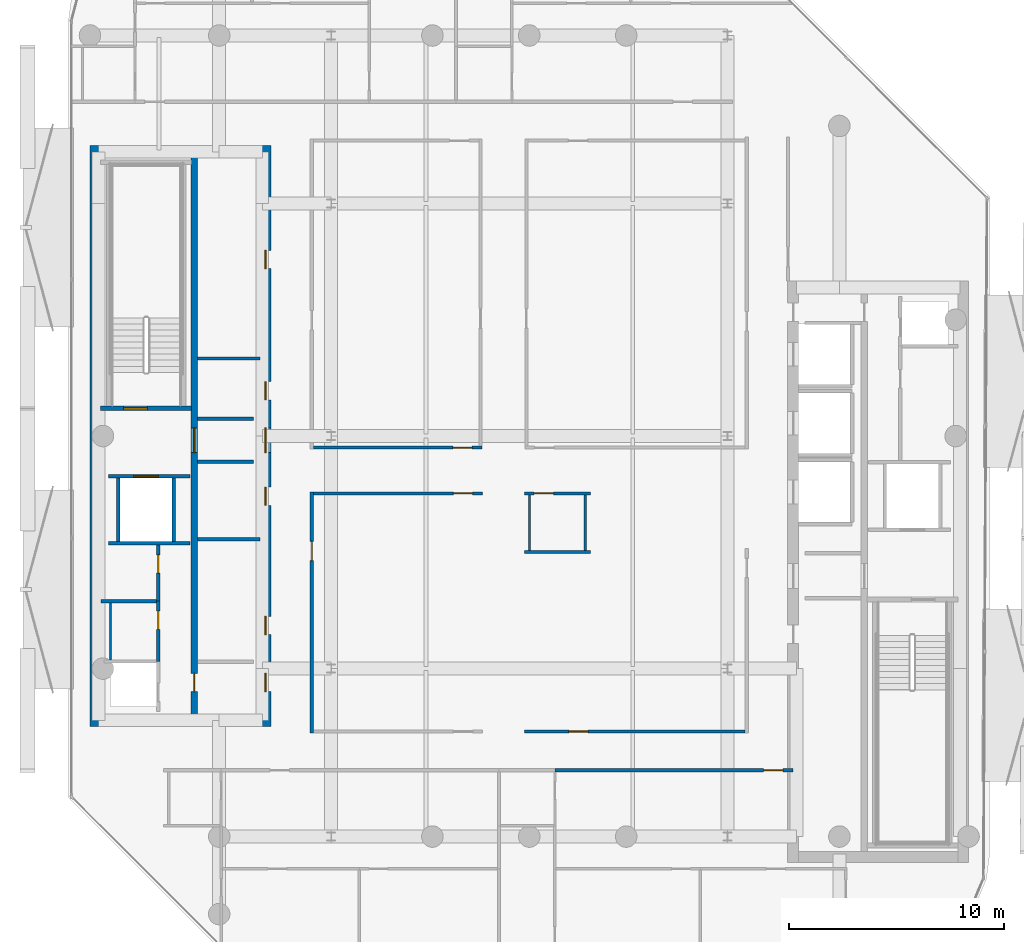
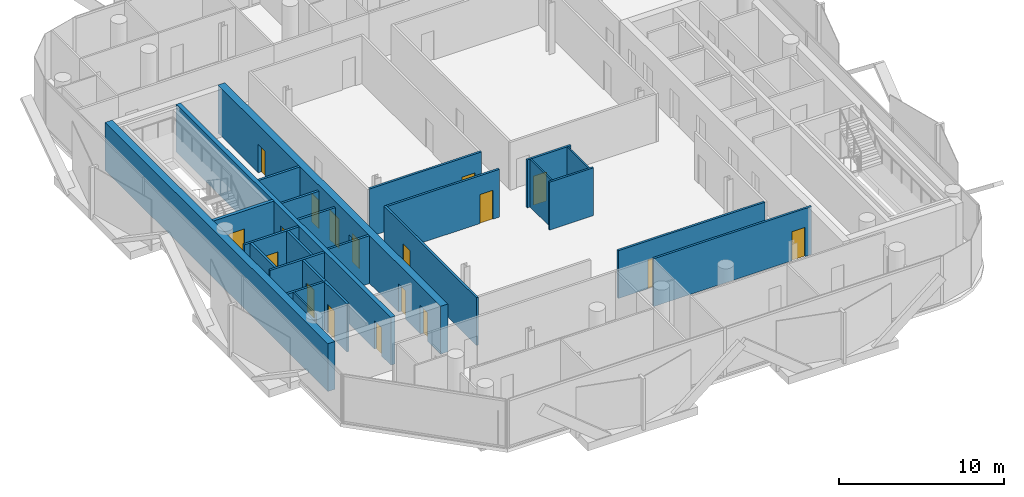
# One storey, part 5 of 16: 25 walls, 18 doors, 18 openings.
"""IFC4 building model written with IfcOpenShell, lengths in metres."""

from ifc_helpers import new_model, si_unit, direction, frame, frame_2d, origin, place, context, subcontext, project, spatial, rectangle, extrude, material, layer, layer_set, type_object, element, fill, save


model = new_model("IFC4")

# Units and contexts
model_context = context("Model", 3, precision=1e-05, world=origin(), true_north=direction((0.0, 1.0)))
body_context = subcontext(model_context, "Body", "Model", "MODEL_VIEW")
ifc_project = project(units=[si_unit("LENGTHUNIT", "METRE"), si_unit("AREAUNIT", "SQUARE_METRE"), si_unit("VOLUMEUNIT", "CUBIC_METRE"), si_unit("PLANEANGLEUNIT", "RADIAN"), si_unit("MASSUNIT", "GRAM", prefix="KILO")], contexts=[model_context])

# Site, building, storey
site_placement = place(None, origin())
site = spatial("IfcSite", under=ifc_project, at=site_placement, CompositionType="ELEMENT")
building_placement = place(site_placement, origin())
building = spatial("IfcBuilding", under=site, at=building_placement, Name="Khairoan Windgate Tower", CompositionType="ELEMENT")
storey_placement = place(building_placement, frame((0.0, 0.0, 296.60009765625)))
storey = spatial("IfcBuildingStorey", under=building, at=storey_placement, Name="L71", CompositionType="ELEMENT", Elevation=296.60009765625)

# Walls
ifc_material_1 = material(Name="Moisture-Resistant Gypsum Partition", Category="gypsum")
ifc_layer_1 = layer(ifc_material_1, 0.10009765625, Name="Moisture-Resistant Gypsum Partition")
ifc_layer_set_1 = layer_set([ifc_layer_1], Name="Moisture-Resistant Gypsum Partition")
wall_type_1 = type_object("IfcWallType", Name="Bathroom Wet-Area Partition Wall", PredefinedType="PARTITIONING", material=ifc_layer_set_1)
wall_1_placement = place(storey_placement, frame((-19.449951171875, -10.389892578125, 0.0), z_axis=(0.0, 0.0, 1.0), x_axis=(0.0, 1.0, 0.0)))
element("IfcWall", 1, at=wall_1_placement, inside=storey, type_object=wall_type_1, Name="L71 Wet Room Side Wall 072", PredefinedType="PARTITIONING", context=body_context, shape_type="SweptSolid", body=[
    extrude(rectangle(XDim=2.639892578125, YDim=0.10009765625, at=frame_2d((1.31982421875, 0.0))), origin(), (0.0, 0.0, 1.0), 3.539794921875),
])
for number, where, z_axis, x_axis, name in (
    (2, (2.60009765625, -2.739990234375, 0.0), (0.0, 0.0, 1.0), (0.0, -1.0, 0.0), "L71 Wet Room Side Wall 075"),
    (3, (0.010009765625, -5.31005859375, 0.0), (0.0, 0.0, 1.0), (0.0, 1.0, 0.0), "L71 Wet Room Side Wall 076"),
):
    element("IfcWall", number, at=place(storey_placement, frame(where, z_axis=z_axis, x_axis=x_axis)), inside=storey, type_object=wall_type_1, Name=name, PredefinedType="PARTITIONING", context=body_context, shape_type="SweptSolid", body=[
        extrude(rectangle(XDim=2.570068359375, YDim=0.10009765625, at=frame_2d((1.28515625, 0.0))), origin(), (0.0, 0.0, 1.0), 3.539794921875),
    ])

# Wall, opening, door
ifc_material_2 = material(Name="Concrete C40/50", Category="concrete")
ifc_layer_2 = layer(ifc_material_2, 0.159912109375, Name="Concrete C40/50")
ifc_layer_set_2 = layer_set([ifc_layer_2], Name="Concrete C40/50")
wall_type_2 = type_object("IfcWallType", Name="Core and Hoistway Enclosure Wall", PredefinedType="STANDARD", material=ifc_layer_set_2)
wall_2_placement = place(storey_placement, frame((-19.550048828125, -1.860107421875, 0.0), z_axis=(0.0, 0.0, 1.0), x_axis=(1.0, 0.0, 0.0)))
wall_2 = element("IfcWall", 4, at=wall_2_placement, inside=storey, type_object=wall_type_2, Name="L71 Core Shaft Wall SW-FL2-L71", PredefinedType="STANDARD", context=body_context, shape_type="SweptSolid", body=[
    extrude(rectangle(XDim=3.800048828125, YDim=0.159912109375, at=frame_2d((1.89990234375, 0.0))), origin(), (0.0, 0.0, 1.0), 3.539794921875),
])
opening_1_placement = place(wall_2_placement, frame((1.179931640625, 0.0, 0.0)))
opening_1 = element("IfcOpeningElement", 5, at=opening_1_placement, cuts=wall_2, Name="Opening LD-FL", PredefinedType="OPENING", context=body_context, shape_type="SweptSolid", body=[
    extrude(rectangle(XDim=1.14990234375, YDim=2.199951171875, at=frame_2d((0.574951171875, 1.10009765625))), frame((0.0, 0.08984375, 0.0), z_axis=(0.0, -1.0, 0.0), x_axis=(1.0, 0.0, 0.0)), (0.0, 0.0, 1.0), 0.179931640625),
])
ifc_material_3 = material(Name="Steel S355", Category="steel")
door_type_1 = type_object("IfcDoorType", Name="Firefighting Lift Sliding Landing Door LD-FL 1150x2200", OperationType="DOUBLE_DOOR_SLIDING", PredefinedType="DOOR", material=ifc_material_3)
door_1_placement = place(opening_1_placement, origin())
door_1 = element("IfcDoor", 6, at=door_1_placement, inside=storey, type_object=door_type_1, Name="L71 Firefighting Lift FL2 Landing Door", OperationType="DOUBLE_DOOR_SLIDING", OverallHeight=2.199951171875, OverallWidth=1.14990234375, PredefinedType="DOOR", context=body_context, shape_type="SweptSolid", body=[
    extrude(rectangle(XDim=1.14990234375, YDim=2.199951171875, at=frame_2d((0.574951171875, 1.10009765625))), frame((0.0, 0.02490234375, 0.0), z_axis=(0.0, -1.0, 0.0), x_axis=(1.0, 0.0, 0.0)), (0.0, 0.0, 1.0), 0.050048828125),
])
fill(opening_1, door_1)

# Walls
wall_3_placement = place(storey_placement, frame((-19.550048828125, -4.97998046875, 0.0), z_axis=(0.0, 0.0, 1.0), x_axis=(1.0, 0.0, 0.0)))
element("IfcWall", 7, at=wall_3_placement, inside=storey, type_object=wall_type_2, Name="L71 Core Shaft Wall SW-FL2B-L71", PredefinedType="STANDARD", context=body_context, shape_type="SweptSolid", body=[
    extrude(rectangle(XDim=3.800048828125, YDim=0.159912109375, at=frame_2d((1.89990234375, 0.0))), origin(), (0.0, 0.0, 1.0), 3.539794921875),
])
for number, where, z_axis, x_axis, name in (
    (8, (-19.080078125, -4.89990234375, 0.0), (0.0, 0.0, 1.0), (0.0, 1.0, 0.0), "L71 Core Shaft Wall SW-FL2W-L71"),
    (9, (-16.52001953125, -4.89990234375, 0.0), (0.0, 0.0, 1.0), (0.0, 1.0, 0.0), "L71 Core Shaft Wall SW-FL2E-L71"),
):
    element("IfcWall", number, at=place(storey_placement, frame(where, z_axis=z_axis, x_axis=x_axis)), inside=storey, type_object=wall_type_2, Name=name, PredefinedType="STANDARD", context=body_context, shape_type="SweptSolid", body=[
        extrude(rectangle(XDim=2.9599609375, YDim=0.159912109375, at=frame_2d((1.47998046875, 0.0))), origin(), (0.0, 0.0, 1.0), 3.539794921875),
    ])
for number, where, z_axis, x_axis, name in (
    (10, (-15.39990234375, 0.800048828125, 0.0), (0.0, 0.0, 1.0), (1.0, 0.0, 0.0), "L71 Core Shaft Wall SW-WV1-L71"),
    (11, (-15.39990234375, -1.199951171875, 0.0), (0.0, 0.0, 1.0), (1.0, 0.0, 0.0), "L71 Core Shaft Wall SW-WV2-L71"),
):
    element("IfcWall", number, at=place(storey_placement, frame(where, z_axis=z_axis, x_axis=x_axis)), inside=storey, type_object=wall_type_2, Name=name, PredefinedType="STANDARD", context=body_context, shape_type="SweptSolid", body=[
        extrude(rectangle(XDim=2.599853515625, YDim=0.159912109375, at=frame_2d((1.2998046875, 0.0))), origin(), (0.0, 0.0, 1.0), 3.539794921875),
    ])
ifc_material_4 = material(Name="Acoustic Fire-Rated Gypsum Partition", Category="gypsum")
ifc_layer_3 = layer(ifc_material_4, 0.139892578125, Name="Acoustic Fire-Rated Gypsum Partition")
ifc_layer_set_3 = layer_set([ifc_layer_3], Name="Acoustic Fire-Rated Gypsum Partition")
wall_type_3 = type_object("IfcWallType", Name="Inter-Tenancy Compartment Wall", PredefinedType="PARTITIONING", material=ifc_layer_set_3)
wall_4_placement = place(storey_placement, frame((-0.22998046875, -5.3798828125, 0.0), z_axis=(0.0, 0.0, 1.0), x_axis=(1.0, 0.0, 0.0)))
element("IfcWall", 12, at=wall_4_placement, inside=storey, type_object=wall_type_3, Name="L71 Interior Partition 071", PredefinedType="PARTITIONING", context=body_context, shape_type="SweptSolid", body=[
    extrude(rectangle(XDim=3.070068359375, YDim=0.139892578125, at=frame_2d((1.53515625, 0.0))), origin(), (0.0, 0.0, 1.0), 3.539794921875),
])

# Wall, opening, door
ifc_material_5 = material(Name="Concrete C40/50", Category="concrete")
ifc_layer_4 = layer(ifc_material_5, 0.159912109375, Name="Concrete C40/50")
ifc_layer_set_4 = layer_set([ifc_layer_4], Name="Concrete C40/50")
wall_type_4 = type_object("IfcWallType", Name="Plant and Refuge Compartment Wall", PredefinedType="PARTITIONING", material=ifc_layer_set_4)
wall_5_placement = place(storey_placement, frame((-17.22998046875, -10.469970703125, 0.0), z_axis=(0.0, 0.0, 1.0), x_axis=(0.0, 1.0, 0.0)))
wall_5 = element("IfcWall", 13, at=wall_5_placement, inside=storey, type_object=wall_type_4, Name="L71 Interior Partition 002", PredefinedType="PARTITIONING", context=body_context, shape_type="SweptSolid", body=[
    extrude(rectangle(XDim=2.800048828125, YDim=0.159912109375, at=frame_2d((1.39990234375, 0.0))), origin(), (0.0, 0.0, 1.0), 3.539794921875),
])
opening_2_placement = place(wall_5_placement, frame((1.489990234375, 0.0, 0.0)))
opening_2 = element("IfcOpeningElement", 14, at=opening_2_placement, cuts=wall_5, Name="Opening FD-SRV", PredefinedType="OPENING", context=body_context, shape_type="SweptSolid", body=[
    extrude(rectangle(XDim=0.85009765625, YDim=2.10009765625, at=frame_2d((0.425048828125, 1.050048828125))), frame((0.0, 0.08984375, 0.0), z_axis=(0.0, -1.0, 0.0), x_axis=(1.0, 0.0, 0.0)), (0.0, 0.0, 1.0), 0.179931640625),
])
ifc_material_6 = material(Name="Steel S355", Category="steel")
door_type_2 = type_object("IfcDoorType", Name="Core Service and Riser Fire Door FD-SRV 850x2100", OperationType="NOTDEFINED", PredefinedType="DOOR", material=ifc_material_6)
door_2_placement = place(opening_2_placement, origin())
door_2 = element("IfcDoor", 15, at=door_2_placement, inside=storey, type_object=door_type_2, Name="L71 L71-04-L71-06 Door", OperationType="SINGLE_SWING_RIGHT", OverallHeight=2.10009765625, OverallWidth=0.85009765625, PredefinedType="DOOR", context=body_context, shape_type="SweptSolid", body=[
    extrude(rectangle(XDim=0.85009765625, YDim=2.10009765625, at=frame_2d((0.425048828125, 1.050048828125))), frame((0.0, 0.02490234375, 0.0), z_axis=(0.0, -1.0, 0.0), x_axis=(1.0, 0.0, 0.0)), (0.0, 0.0, 1.0), 0.050048828125),
])
fill(opening_2, door_2)

wall_6_placement = place(storey_placement, frame((-17.22998046875, -7.669921875, 0.0), z_axis=(0.0, 0.0, 1.0), x_axis=(0.0, 1.0, 0.0)))
wall_6 = element("IfcWall", 16, at=wall_6_placement, inside=storey, type_object=wall_type_4, Name="L71 Interior Partition 003", PredefinedType="PARTITIONING", context=body_context, shape_type="SweptSolid", body=[
    extrude(rectangle(XDim=2.60986328125, YDim=0.159912109375, at=frame_2d((1.304931640625, 0.0))), origin(), (0.0, 0.0, 1.0), 3.539794921875),
])
opening_3_placement = place(wall_6_placement, frame((1.300048828125, 0.0, 0.0)))
opening_3 = element("IfcOpeningElement", 17, at=opening_3_placement, cuts=wall_6, Name="Opening FD-SRV", PredefinedType="OPENING", context=body_context, shape_type="SweptSolid", body=[
    extrude(rectangle(XDim=0.85009765625, YDim=2.10009765625, at=frame_2d((0.425048828125, 1.050048828125))), frame((0.0, 0.08984375, 0.0), z_axis=(0.0, -1.0, 0.0), x_axis=(1.0, 0.0, 0.0)), (0.0, 0.0, 1.0), 0.179931640625),
])
door_3_placement = place(opening_3_placement, origin())
door_3 = element("IfcDoor", 18, at=door_3_placement, inside=storey, type_object=door_type_2, Name="L71 L71-04-L71-07 Door", OperationType="SINGLE_SWING_LEFT", OverallHeight=2.10009765625, OverallWidth=0.85009765625, PredefinedType="DOOR", context=body_context, shape_type="SweptSolid", body=[
    extrude(rectangle(XDim=0.85009765625, YDim=2.10009765625, at=frame_2d((0.425048828125, 1.050048828125))), frame((0.0, 0.02490234375, 0.0), z_axis=(0.0, -1.0, 0.0), x_axis=(1.0, 0.0, 0.0)), (0.0, 0.0, 1.0), 0.050048828125),
])
fill(opening_3, door_3)

# Walls
wall_7_placement = place(storey_placement, frame((-19.89990234375, -7.669921875, 0.0), z_axis=(0.0, 0.0, 1.0), x_axis=(1.0, 0.0, 0.0)))
element("IfcWall", 19, at=wall_7_placement, inside=storey, type_object=wall_type_4, Name="L71 Interior Partition 005", PredefinedType="PARTITIONING", context=body_context, shape_type="SweptSolid", body=[
    extrude(rectangle(XDim=2.58984375, YDim=0.159912109375, at=frame_2d((1.294921875, 0.0))), origin(), (0.0, 0.0, 1.0), 3.539794921875),
])
for number, where, z_axis, x_axis, name in (
    (20, (-15.39990234375, 3.60009765625, 0.0), (0.0, 0.0, 1.0), (1.0, 0.0, 0.0), "L71 Interior Partition 006"),
    (21, (-15.39990234375, -4.800048828125, 0.0), (0.0, 0.0, 1.0), (1.0, 0.0, 0.0), "L71 Interior Partition 007"),
):
    element("IfcWall", number, at=place(storey_placement, frame(where, z_axis=z_axis, x_axis=x_axis)), inside=storey, type_object=wall_type_4, Name=name, PredefinedType="PARTITIONING", context=body_context, shape_type="SweptSolid", body=[
        extrude(rectangle(XDim=2.89990234375, YDim=0.159912109375, at=frame_2d((1.449951171875, 0.0))), origin(), (0.0, 0.0, 1.0), 3.539794921875),
    ])

# Wall, opening, door
ifc_material_7 = material(Name="Acoustic Fire-Rated Gypsum Partition", Category="gypsum")
ifc_layer_5 = layer(ifc_material_7, 0.14990234375, Name="Acoustic Fire-Rated Gypsum Partition")
ifc_layer_set_5 = layer_set([ifc_layer_5], Name="Acoustic Fire-Rated Gypsum Partition")
wall_type_5 = type_object("IfcWallType", Name="Rated Corridor Partition Wall", PredefinedType="PARTITIONING", material=ifc_layer_set_5)
wall_8_placement = place(storey_placement, frame((-10.10009765625, -13.794921875, 0.0), z_axis=(0.0, 0.0, 1.0), x_axis=(0.0, 1.0, 0.0)))
wall_8 = element("IfcWall", 22, at=wall_8_placement, inside=storey, type_object=wall_type_5, Name="L71 Interior Partition 012", PredefinedType="PARTITIONING", context=body_context, shape_type="SweptSolid", body=[
    extrude(rectangle(XDim=11.204833984375, YDim=0.14990234375, at=frame_2d((5.6025390625, 0.0))), origin(), (0.0, 0.0, 1.0), 3.539794921875),
])
opening_4_placement = place(wall_8_placement, frame((8.0087890625, 0.0, 0.0)))
opening_4 = element("IfcOpeningElement", 23, at=opening_4_placement, cuts=wall_8, Name="Opening FD-ENT", PredefinedType="OPENING", context=body_context, shape_type="SweptSolid", body=[
    extrude(rectangle(XDim=0.89990234375, YDim=2.14990234375, at=frame_2d((0.449951171875, 1.074951171875))), frame((0.0, 0.0849609375, 0.0), z_axis=(0.0, -1.0, 0.0), x_axis=(1.0, 0.0, 0.0)), (0.0, 0.0, 1.0), 0.169921875),
])
ifc_material_8 = material(Name="Timber Fire-Rated Core", Category="wood")
door_type_3 = type_object("IfcDoorType", Name="Unit and Office Fire Entrance Door FD-ENT 900x2150", OperationType="NOTDEFINED", PredefinedType="DOOR", material=ifc_material_8)
door_4_placement = place(opening_4_placement, origin())
door_4 = element("IfcDoor", 24, at=door_4_placement, inside=storey, type_object=door_type_3, Name="L71 L71-26-L71-56 Door", OperationType="SINGLE_SWING_LEFT", OverallHeight=2.14990234375, OverallWidth=0.89990234375, PredefinedType="DOOR", context=body_context, shape_type="SweptSolid", body=[
    extrude(rectangle(XDim=0.89990234375, YDim=2.14990234375, at=frame_2d((0.449951171875, 1.074951171875))), frame((0.0, 0.02490234375, 0.0), z_axis=(0.0, -1.0, 0.0), x_axis=(1.0, 0.0, 0.0)), (0.0, 0.0, 1.0), 0.050048828125),
])
fill(opening_4, door_4)

wall_9_placement = place(storey_placement, frame((-10.02490234375, -0.534912109375, 0.0), z_axis=(0.0, 0.0, 1.0), x_axis=(1.0, 0.0, 0.0)))
wall_9 = element("IfcWall", 25, at=wall_9_placement, inside=storey, type_object=wall_type_5, Name="L71 Interior Partition 016", PredefinedType="PARTITIONING", context=body_context, shape_type="SweptSolid", body=[
    extrude(rectangle(XDim=7.8349609375, YDim=0.14990234375, at=frame_2d((3.91748046875, 0.0))), origin(), (0.0, 0.0, 1.0), 3.539794921875),
])
opening_5_placement = place(wall_9_placement, frame((6.47509765625, 0.0, 0.0)))
opening_5 = element("IfcOpeningElement", 26, at=opening_5_placement, cuts=wall_9, Name="Opening FD-ENT", PredefinedType="OPENING", context=body_context, shape_type="SweptSolid", body=[
    extrude(rectangle(XDim=0.89990234375, YDim=2.14990234375, at=frame_2d((0.449951171875, 1.074951171875))), frame((0.0, 0.0849609375, 0.0), z_axis=(0.0, -1.0, 0.0), x_axis=(1.0, 0.0, 0.0)), (0.0, 0.0, 1.0), 0.169921875),
])
door_5_placement = place(opening_5_placement, origin())
door_5 = element("IfcDoor", 27, at=door_5_placement, inside=storey, type_object=door_type_3, Name="L71 L71-28-L71-55 Door", OperationType="SINGLE_SWING_LEFT", OverallHeight=2.14990234375, OverallWidth=0.89990234375, PredefinedType="DOOR", context=body_context, shape_type="SweptSolid", body=[
    extrude(rectangle(XDim=0.89990234375, YDim=2.14990234375, at=frame_2d((0.449951171875, 1.074951171875))), frame((0.0, 0.02490234375, 0.0), z_axis=(0.0, -1.0, 0.0), x_axis=(1.0, 0.0, 0.0)), (0.0, 0.0, 1.0), 0.050048828125),
])
fill(opening_5, door_5)

wall_10_placement = place(storey_placement, frame((-10.02490234375, -2.6650390625, 0.0), z_axis=(0.0, 0.0, 1.0), x_axis=(1.0, 0.0, 0.0)))
wall_10 = element("IfcWall", 28, at=wall_10_placement, inside=storey, type_object=wall_type_5, Name="L71 Interior Partition 017", PredefinedType="PARTITIONING", context=body_context, shape_type="SweptSolid", body=[
    extrude(rectangle(XDim=7.85498046875, YDim=0.14990234375, at=frame_2d((3.927490234375, 0.0))), origin(), (0.0, 0.0, 1.0), 3.539794921875),
])
opening_6_placement = place(wall_10_placement, frame((6.4951171875, 0.0, 0.0)))
opening_6 = element("IfcOpeningElement", 29, at=opening_6_placement, cuts=wall_10, Name="Opening FD-ENT", PredefinedType="OPENING", context=body_context, shape_type="SweptSolid", body=[
    extrude(rectangle(XDim=0.89990234375, YDim=2.14990234375, at=frame_2d((0.449951171875, 1.074951171875))), frame((0.0, 0.0849609375, 0.0), z_axis=(0.0, -1.0, 0.0), x_axis=(1.0, 0.0, 0.0)), (0.0, 0.0, 1.0), 0.169921875),
])
door_6_placement = place(opening_6_placement, origin())
door_6 = element("IfcDoor", 30, at=door_6_placement, inside=storey, type_object=door_type_3, Name="L71 L71-28-L71-56 Door", OperationType="SINGLE_SWING_RIGHT", OverallHeight=2.14990234375, OverallWidth=0.89990234375, PredefinedType="DOOR", context=body_context, shape_type="SweptSolid", body=[
    extrude(rectangle(XDim=0.89990234375, YDim=2.14990234375, at=frame_2d((0.449951171875, 1.074951171875))), frame((0.0, 0.02490234375, 0.0), z_axis=(0.0, -1.0, 0.0), x_axis=(1.0, 0.0, 0.0)), (0.0, 0.0, 1.0), 0.050048828125),
])
fill(opening_6, door_6)

wall_11_placement = place(storey_placement, frame((-0.22998046875, -2.6650390625, 0.0), z_axis=(0.0, 0.0, 1.0), x_axis=(1.0, 0.0, 0.0)))
wall_11 = element("IfcWall", 31, at=wall_11_placement, inside=storey, type_object=wall_type_5, Name="L71 Interior Partition 019", PredefinedType="PARTITIONING", context=body_context, shape_type="SweptSolid", body=[
    extrude(rectangle(XDim=3.070068359375, YDim=0.14990234375, at=frame_2d((1.53515625, 0.0))), origin(), (0.0, 0.0, 1.0), 3.539794921875),
])
opening_7_placement = place(wall_11_placement, frame((0.4599609375, 0.0, 0.0)))
opening_7 = element("IfcOpeningElement", 32, at=opening_7_placement, cuts=wall_11, Name="Opening FD-ENT", PredefinedType="OPENING", context=body_context, shape_type="SweptSolid", body=[
    extrude(rectangle(XDim=0.89990234375, YDim=2.14990234375, at=frame_2d((0.449951171875, 1.074951171875))), frame((0.0, 0.0849609375, 0.0), z_axis=(0.0, -1.0, 0.0), x_axis=(1.0, 0.0, 0.0)), (0.0, 0.0, 1.0), 0.169921875),
])
door_7_placement = place(opening_7_placement, origin())
door_7 = element("IfcDoor", 33, at=door_7_placement, inside=storey, type_object=door_type_3, Name="L71 L71-28-L71-58 Door", OperationType="SINGLE_SWING_RIGHT", OverallHeight=2.14990234375, OverallWidth=0.89990234375, PredefinedType="DOOR", context=body_context, shape_type="SweptSolid", body=[
    extrude(rectangle(XDim=0.89990234375, YDim=2.14990234375, at=frame_2d((0.449951171875, 1.074951171875))), frame((0.0, 0.02490234375, 0.0), z_axis=(0.0, -1.0, 0.0), x_axis=(1.0, 0.0, 0.0)), (0.0, 0.0, 1.0), 0.050048828125),
])
fill(opening_7, door_7)

wall_12_placement = place(storey_placement, frame((1.18994140625, -15.52490234375, 0.0), z_axis=(0.0, 0.0, 1.0), x_axis=(1.0, 0.0, 0.0)))
wall_12 = element("IfcWall", 34, at=wall_12_placement, inside=storey, type_object=wall_type_5, Name="L71 Interior Partition 032", PredefinedType="PARTITIONING", context=body_context, shape_type="SweptSolid", body=[
    extrude(rectangle(XDim=11.050048828125, YDim=0.14990234375, at=frame_2d((5.52490234375, 0.0))), origin(), (0.0, 0.0, 1.0), 3.539794921875),
])
opening_8_placement = place(wall_12_placement, frame((9.68994140625, 0.0, 0.0)))
opening_8 = element("IfcOpeningElement", 35, at=opening_8_placement, cuts=wall_12, Name="Opening FD-ENT", PredefinedType="OPENING", context=body_context, shape_type="SweptSolid", body=[
    extrude(rectangle(XDim=0.89990234375, YDim=2.14990234375, at=frame_2d((0.449951171875, 1.074951171875))), frame((0.0, 0.0849609375, 0.0), z_axis=(0.0, -1.0, 0.0), x_axis=(1.0, 0.0, 0.0)), (0.0, 0.0, 1.0), 0.169921875),
])
door_8_placement = place(opening_8_placement, origin())
door_8 = element("IfcDoor", 36, at=door_8_placement, inside=storey, type_object=door_type_3, Name="L71 L71-31-L71-50 Door", OperationType="SINGLE_SWING_RIGHT", OverallHeight=2.14990234375, OverallWidth=0.89990234375, PredefinedType="DOOR", context=body_context, shape_type="SweptSolid", body=[
    extrude(rectangle(XDim=0.89990234375, YDim=2.14990234375, at=frame_2d((0.449951171875, 1.074951171875))), frame((0.0, 0.02490234375, 0.0), z_axis=(0.0, -1.0, 0.0), x_axis=(1.0, 0.0, 0.0)), (0.0, 0.0, 1.0), 0.050048828125),
])
fill(opening_8, door_8)

wall_13_placement = place(storey_placement, frame((-0.22998046875, -13.719970703125, 0.0), z_axis=(0.0, 0.0, 1.0), x_axis=(1.0, 0.0, 0.0)))
wall_13 = element("IfcWall", 37, at=wall_13_placement, inside=storey, type_object=wall_type_5, Name="L71 Interior Partition 034", PredefinedType="PARTITIONING", context=body_context, shape_type="SweptSolid", body=[
    extrude(rectangle(XDim=10.2548828125, YDim=0.14990234375, at=frame_2d((5.12744140625, 0.0))), origin(), (0.0, 0.0, 1.0), 3.539794921875),
])
opening_9_placement = place(wall_13_placement, frame((2.066650390625, 0.0, 0.0)))
opening_9 = element("IfcOpeningElement", 38, at=opening_9_placement, cuts=wall_13, Name="Opening FD-ENT", PredefinedType="OPENING", context=body_context, shape_type="SweptSolid", body=[
    extrude(rectangle(XDim=0.89990234375, YDim=2.14990234375, at=frame_2d((0.449951171875, 1.074951171875))), frame((0.0, 0.0849609375, 0.0), z_axis=(0.0, -1.0, 0.0), x_axis=(1.0, 0.0, 0.0)), (0.0, 0.0, 1.0), 0.169921875),
])
door_9_placement = place(opening_9_placement, origin())
door_9 = element("IfcDoor", 39, at=door_9_placement, inside=storey, type_object=door_type_3, Name="L71 L71-31-L71-59 Door", OperationType="SINGLE_SWING_RIGHT", OverallHeight=2.14990234375, OverallWidth=0.89990234375, PredefinedType="DOOR", context=body_context, shape_type="SweptSolid", body=[
    extrude(rectangle(XDim=0.89990234375, YDim=2.14990234375, at=frame_2d((0.449951171875, 1.074951171875))), frame((0.0, 0.02490234375, 0.0), z_axis=(0.0, -1.0, 0.0), x_axis=(1.0, 0.0, 0.0)), (0.0, 0.0, 1.0), 0.050048828125),
])
fill(opening_9, door_9)

# Wall
ifc_material_9 = material(Name="Concrete C50/60", Category="concrete")
ifc_layer_6 = layer(ifc_material_9, 0.5, Name="Concrete C50/60")
ifc_layer_set_6 = layer_set([ifc_layer_6], Name="Concrete C50/60")
wall_type_6 = type_object("IfcWallType", Name="Shear Wall CW-W3 500mm", PredefinedType="SHEAR", material=ifc_layer_set_6)
wall_14_placement = place(storey_placement, frame((-20.14990234375, -13.5, 0.0), z_axis=(0.0, 0.0, 1.0), x_axis=(0.0, 1.0, 0.0)))
element("IfcWall", 40, at=wall_14_placement, inside=storey, type_object=wall_type_6, Name="W Core West Shear Wall L71", PredefinedType="SHEAR", context=body_context, shape_type="SweptSolid", body=[
    extrude(rectangle(XDim=27.0, YDim=0.5, at=frame_2d((13.5, 0.0))), origin(), (0.0, 0.0, 1.0), 3.539794921875),
])

# Wall, openings, doors
wall_15_placement = place(storey_placement, frame((-12.25, -13.5, 0.0), z_axis=(0.0, 0.0, 1.0), x_axis=(0.0, 1.0, 0.0)))
wall_15 = element("IfcWall", 41, at=wall_15_placement, inside=storey, type_object=wall_type_6, Name="W Core East Shear Wall L71", PredefinedType="SHEAR", context=body_context, shape_type="SweptSolid", body=[
    extrude(rectangle(XDim=27.0, YDim=0.5, at=frame_2d((13.5, 0.0))), origin(), (0.0, 0.0, 1.0), 3.539794921875),
])
opening_10_placement = place(wall_15_placement, frame((15.175048828125, 0.0, 0.0)))
opening_10 = element("IfcOpeningElement", 42, at=opening_10_placement, cuts=wall_15, Name="Opening FD-SRV", PredefinedType="OPENING", context=body_context, shape_type="SweptSolid", body=[
    extrude(rectangle(XDim=0.85009765625, YDim=2.10009765625, at=frame_2d((0.425048828125, 1.050048828125))), frame((0.0, 0.260009765625, 0.0), z_axis=(0.0, -1.0, 0.0), x_axis=(1.0, 0.0, 0.0)), (0.0, 0.0, 1.0), 0.52001953125),
])
opening_11_placement = place(wall_15_placement, frame((21.27490234375, 0.0, 0.0)))
opening_11 = element("IfcOpeningElement", 43, at=opening_11_placement, cuts=wall_15, Name="Opening FD-SRV", PredefinedType="OPENING", context=body_context, shape_type="SweptSolid", body=[
    extrude(rectangle(XDim=0.85009765625, YDim=2.10009765625, at=frame_2d((0.425048828125, 1.050048828125))), frame((0.0, 0.260009765625, 0.0), z_axis=(0.0, -1.0, 0.0), x_axis=(1.0, 0.0, 0.0)), (0.0, 0.0, 1.0), 0.52001953125),
])
opening_12_placement = place(wall_15_placement, frame((4.27490234375, 0.0, 0.0)))
opening_12 = element("IfcOpeningElement", 44, at=opening_12_placement, cuts=wall_15, Name="Opening FD-SRV", PredefinedType="OPENING", context=body_context, shape_type="SweptSolid", body=[
    extrude(rectangle(XDim=0.85009765625, YDim=2.10009765625, at=frame_2d((0.425048828125, 1.050048828125))), frame((0.0, 0.260009765625, 0.0), z_axis=(0.0, -1.0, 0.0), x_axis=(1.0, 0.0, 0.0)), (0.0, 0.0, 1.0), 0.52001953125),
])
opening_13_placement = place(wall_15_placement, frame((10.27490234375, 0.0, 0.0)))
opening_13 = element("IfcOpeningElement", 45, at=opening_13_placement, cuts=wall_15, Name="Opening FD-SRV", PredefinedType="OPENING", context=body_context, shape_type="SweptSolid", body=[
    extrude(rectangle(XDim=0.85009765625, YDim=2.10009765625, at=frame_2d((0.425048828125, 1.050048828125))), frame((0.0, 0.260009765625, 0.0), z_axis=(0.0, -1.0, 0.0), x_axis=(1.0, 0.0, 0.0)), (0.0, 0.0, 1.0), 0.52001953125),
])
opening_14_placement = place(wall_15_placement, frame((12.72509765625, 0.0, 0.0)))
opening_14 = element("IfcOpeningElement", 46, at=opening_14_placement, cuts=wall_15, Name="Opening FD-FFL", PredefinedType="OPENING", context=body_context, shape_type="SweptSolid", body=[
    extrude(rectangle(XDim=1.14990234375, YDim=2.199951171875, at=frame_2d((0.574951171875, 1.10009765625))), frame((0.0, 0.260009765625, 0.0), z_axis=(0.0, -1.0, 0.0), x_axis=(1.0, 0.0, 0.0)), (0.0, 0.0, 1.0), 0.52001953125),
])
opening_15_placement = place(wall_15_placement, frame((1.625, 0.0, 0.0)))
opening_15 = element("IfcOpeningElement", 47, at=opening_15_placement, cuts=wall_15, Name="Opening FD-SRV", PredefinedType="OPENING", context=body_context, shape_type="SweptSolid", body=[
    extrude(rectangle(XDim=0.85009765625, YDim=2.10009765625, at=frame_2d((0.425048828125, 1.050048828125))), frame((0.0, 0.260009765625, 0.0), z_axis=(0.0, -1.0, 0.0), x_axis=(1.0, 0.0, 0.0)), (0.0, 0.0, 1.0), 0.52001953125),
])
door_10_placement = place(opening_10_placement, origin())
door_10 = element("IfcDoor", 48, at=door_10_placement, inside=storey, type_object=door_type_2, Name="L71 Upper Core Room Door B1-1", OperationType="SINGLE_SWING_RIGHT", OverallHeight=2.10009765625, OverallWidth=0.85009765625, PredefinedType="DOOR", context=body_context, shape_type="SweptSolid", body=[
    extrude(rectangle(XDim=0.85009765625, YDim=2.10009765625, at=frame_2d((0.425048828125, 1.050048828125))), frame((0.0, 0.02490234375, 0.0), z_axis=(0.0, -1.0, 0.0), x_axis=(1.0, 0.0, 0.0)), (0.0, 0.0, 1.0), 0.050048828125),
])
fill(opening_10, door_10)
door_11_placement = place(opening_11_placement, origin())
door_11 = element("IfcDoor", 49, at=door_11_placement, inside=storey, type_object=door_type_2, Name="L71 Upper Core Room Door B1-2", OperationType="SINGLE_SWING_LEFT", OverallHeight=2.10009765625, OverallWidth=0.85009765625, PredefinedType="DOOR", context=body_context, shape_type="SweptSolid", body=[
    extrude(rectangle(XDim=0.85009765625, YDim=2.10009765625, at=frame_2d((0.425048828125, 1.050048828125))), frame((0.0, 0.02490234375, 0.0), z_axis=(0.0, -1.0, 0.0), x_axis=(1.0, 0.0, 0.0)), (0.0, 0.0, 1.0), 0.050048828125),
])
fill(opening_11, door_11)
door_12_placement = place(opening_12_placement, origin())
door_12 = element("IfcDoor", 50, at=door_12_placement, inside=storey, type_object=door_type_2, Name="L71 Upper Core Room Door B2-1", OperationType="SINGLE_SWING_RIGHT", OverallHeight=2.10009765625, OverallWidth=0.85009765625, PredefinedType="DOOR", context=body_context, shape_type="SweptSolid", body=[
    extrude(rectangle(XDim=0.85009765625, YDim=2.10009765625, at=frame_2d((0.425048828125, 1.050048828125))), frame((0.0, 0.02490234375, 0.0), z_axis=(0.0, -1.0, 0.0), x_axis=(1.0, 0.0, 0.0)), (0.0, 0.0, 1.0), 0.050048828125),
])
fill(opening_12, door_12)
door_13_placement = place(opening_13_placement, origin())
door_13 = element("IfcDoor", 51, at=door_13_placement, inside=storey, type_object=door_type_2, Name="L71 Upper Core Room Door B2-2", OperationType="SINGLE_SWING_LEFT", OverallHeight=2.10009765625, OverallWidth=0.85009765625, PredefinedType="DOOR", context=body_context, shape_type="SweptSolid", body=[
    extrude(rectangle(XDim=0.85009765625, YDim=2.10009765625, at=frame_2d((0.425048828125, 1.050048828125))), frame((0.0, 0.02490234375, 0.0), z_axis=(0.0, -1.0, 0.0), x_axis=(1.0, 0.0, 0.0)), (0.0, 0.0, 1.0), 0.050048828125),
])
fill(opening_13, door_13)
door_14_placement = place(opening_15_placement, origin())
door_14 = element("IfcDoor", 52, at=door_14_placement, inside=storey, type_object=door_type_2, Name="L71 West Core Service Vestibule Outer Door", OperationType="SINGLE_SWING_LEFT", OverallHeight=2.10009765625, OverallWidth=0.85009765625, PredefinedType="DOOR", context=body_context, shape_type="SweptSolid", body=[
    extrude(rectangle(XDim=0.85009765625, YDim=2.10009765625, at=frame_2d((0.425048828125, 1.050048828125))), frame((0.0, 0.02490234375, 0.0), z_axis=(0.0, -1.0, 0.0), x_axis=(1.0, 0.0, 0.0)), (0.0, 0.0, 1.0), 0.050048828125),
])
fill(opening_15, door_14)
ifc_material_10 = material(Name="Steel S355", Category="steel")
door_type_4 = type_object("IfcDoorType", Name="Firefighting Lobby Fire Door FD-FFL 1150x2200", OperationType="NOTDEFINED", PredefinedType="DOOR", material=ifc_material_10)
door_15_placement = place(opening_14_placement, origin())
door_15 = element("IfcDoor", 53, at=door_15_placement, inside=storey, type_object=door_type_4, Name="L71 West Core Vestibule Entry Door", OperationType="SINGLE_SWING_LEFT", OverallHeight=2.199951171875, OverallWidth=1.14990234375, PredefinedType="DOOR", context=body_context, shape_type="SweptSolid", body=[
    extrude(rectangle(XDim=1.14990234375, YDim=2.199951171875, at=frame_2d((0.574951171875, 1.10009765625))), frame((0.0, 0.02490234375, 0.0), z_axis=(0.0, -1.0, 0.0), x_axis=(1.0, 0.0, 0.0)), (0.0, 0.0, 1.0), 0.050048828125),
])
fill(opening_14, door_15)

ifc_material_11 = material(Name="Concrete C50/60", Category="concrete")
ifc_layer_7 = layer(ifc_material_11, 0.300048828125, Name="Concrete C50/60")
ifc_layer_set_7 = layer_set([ifc_layer_7], Name="Concrete C50/60")
wall_type_7 = type_object("IfcWallType", Name="Shear Wall SW-2 300mm", PredefinedType="SHEAR", material=ifc_layer_set_7)
wall_16_placement = place(storey_placement, frame((-15.550048828125, -13.0, 0.0), z_axis=(0.0, 0.0, 1.0), x_axis=(0.0, 1.0, 0.0)))
wall_16 = element("IfcWall", 54, at=wall_16_placement, inside=storey, type_object=wall_type_7, Name="W Core Spine Shear Wall L71", PredefinedType="SHEAR", context=body_context, shape_type="SweptSolid", body=[
    extrude(rectangle(XDim=26.0, YDim=0.300048828125, at=frame_2d((13.0, 0.0))), origin(), (0.0, 0.0, 1.0), 3.539794921875),
])
opening_16_placement = place(wall_16_placement, frame((12.22509765625, 0.0, 0.0)))
opening_16 = element("IfcOpeningElement", 55, at=opening_16_placement, cuts=wall_16, Name="Opening FD-FFL", PredefinedType="OPENING", context=body_context, shape_type="SweptSolid", body=[
    extrude(rectangle(XDim=1.14990234375, YDim=2.199951171875, at=frame_2d((0.574951171875, 1.10009765625))), frame((0.0, 0.159912109375, 0.0), z_axis=(0.0, -1.0, 0.0), x_axis=(1.0, 0.0, 0.0)), (0.0, 0.0, 1.0), 0.320068359375),
])
opening_17_placement = place(wall_16_placement, frame((1.125, 0.0, 0.0)))
opening_17 = element("IfcOpeningElement", 56, at=opening_17_placement, cuts=wall_16, Name="Opening FD-SRV", PredefinedType="OPENING", context=body_context, shape_type="SweptSolid", body=[
    extrude(rectangle(XDim=0.85009765625, YDim=2.10009765625, at=frame_2d((0.425048828125, 1.050048828125))), frame((0.0, 0.159912109375, 0.0), z_axis=(0.0, -1.0, 0.0), x_axis=(1.0, 0.0, 0.0)), (0.0, 0.0, 1.0), 0.320068359375),
])
door_16_placement = place(opening_17_placement, origin())
door_16 = element("IfcDoor", 57, at=door_16_placement, inside=storey, type_object=door_type_2, Name="L71 West Core Service Passage Inner Door", OperationType="SINGLE_SWING_RIGHT", OverallHeight=2.10009765625, OverallWidth=0.85009765625, PredefinedType="DOOR", context=body_context, shape_type="SweptSolid", body=[
    extrude(rectangle(XDim=0.85009765625, YDim=2.10009765625, at=frame_2d((0.425048828125, 1.050048828125))), frame((0.0, 0.02490234375, 0.0), z_axis=(0.0, -1.0, 0.0), x_axis=(1.0, 0.0, 0.0)), (0.0, 0.0, 1.0), 0.050048828125),
])
fill(opening_17, door_16)
door_17_placement = place(opening_16_placement, origin())
door_17 = element("IfcDoor", 58, at=door_17_placement, inside=storey, type_object=door_type_4, Name="L71 West Firefighting Lobby Fire Door", OperationType="SINGLE_SWING_RIGHT", OverallHeight=2.199951171875, OverallWidth=1.14990234375, PredefinedType="DOOR", context=body_context, shape_type="SweptSolid", body=[
    extrude(rectangle(XDim=1.14990234375, YDim=2.199951171875, at=frame_2d((0.574951171875, 1.10009765625))), frame((0.0, 0.02490234375, 0.0), z_axis=(0.0, -1.0, 0.0), x_axis=(1.0, 0.0, 0.0)), (0.0, 0.0, 1.0), 0.050048828125),
])
fill(opening_16, door_17)

# Wall, opening, door
ifc_material_12 = material(Name="Concrete C50/60", Category="concrete")
ifc_layer_8 = layer(ifc_material_12, 0.219970703125, Name="Concrete C50/60")
ifc_layer_set_8 = layer_set([ifc_layer_8], Name="Concrete C50/60")
wall_type_8 = type_object("IfcWallType", Name="Shear Wall SW-ST 220mm", PredefinedType="SHEAR", material=ifc_layer_set_8)
wall_17_placement = place(storey_placement, frame((-19.919921875, 1.2900390625, 0.0), z_axis=(0.0, 0.0, 1.0), x_axis=(1.0, 0.0, 0.0)))
wall_17 = element("IfcWall", 59, at=wall_17_placement, inside=storey, type_object=wall_type_8, Name="L71 Stair ST2 South Bearing Wall", PredefinedType="SHEAR", context=body_context, shape_type="SweptSolid", body=[
    extrude(rectangle(XDim=4.239990234375, YDim=0.219970703125, at=frame_2d((2.1201171875, 0.0))), origin(), (0.0, 0.0, 1.0), 3.539794921875),
])
opening_18_placement = place(wall_17_placement, frame((1.080078125, 0.0, 0.0)))
opening_18 = element("IfcOpeningElement", 60, at=opening_18_placement, cuts=wall_17, Name="Opening FD-ST", PredefinedType="OPENING", context=body_context, shape_type="SweptSolid", body=[
    extrude(rectangle(XDim=1.10009765625, YDim=2.199951171875, at=frame_2d((0.550048828125, 1.10009765625))), frame((0.0, 0.119873046875, 0.0), z_axis=(0.0, -1.0, 0.0), x_axis=(1.0, 0.0, 0.0)), (0.0, 0.0, 1.0), 0.239990234375),
])
ifc_material_13 = material(Name="Steel S355", Category="steel")
door_type_5 = type_object("IfcDoorType", Name="Smokeproof Stair Fire Door FD-ST 1100x2200", OperationType="NOTDEFINED", PredefinedType="DOOR", material=ifc_material_13)
door_18_placement = place(opening_18_placement, origin())
door_18 = element("IfcDoor", 61, at=door_18_placement, inside=storey, type_object=door_type_5, Name="L71 Stair ST2 Fire Door", OperationType="SINGLE_SWING_LEFT", OverallHeight=2.199951171875, OverallWidth=1.10009765625, PredefinedType="DOOR", context=body_context, shape_type="SweptSolid", body=[
    extrude(rectangle(XDim=1.10009765625, YDim=2.199951171875, at=frame_2d((0.550048828125, 1.10009765625))), frame((0.0, 0.02490234375, 0.0), z_axis=(0.0, -1.0, 0.0), x_axis=(1.0, 0.0, 0.0)), (0.0, 0.0, 1.0), 0.050048828125),
])
fill(opening_18, door_18)

save(model, "model.ifc")
